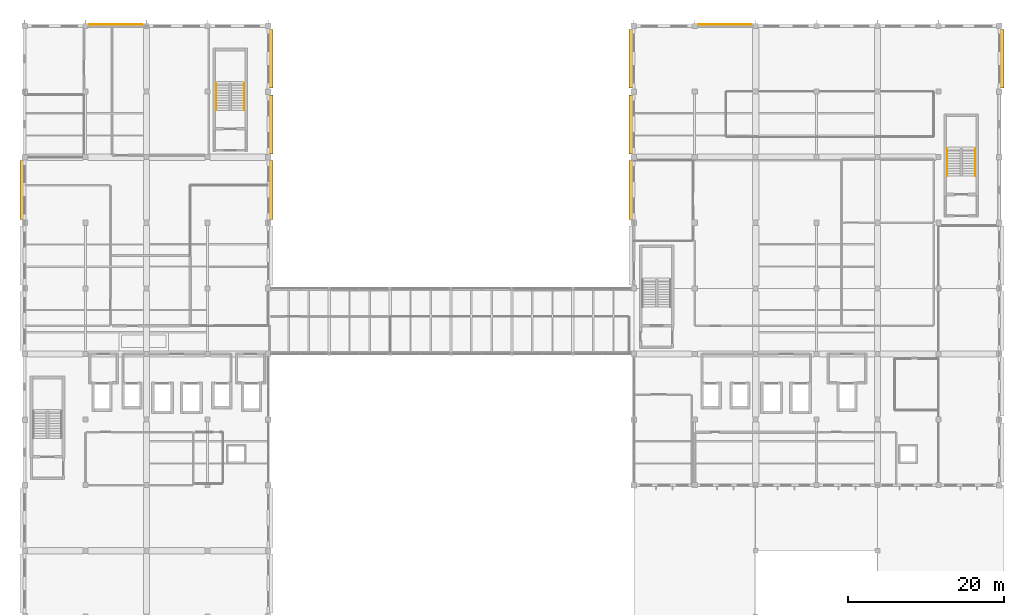
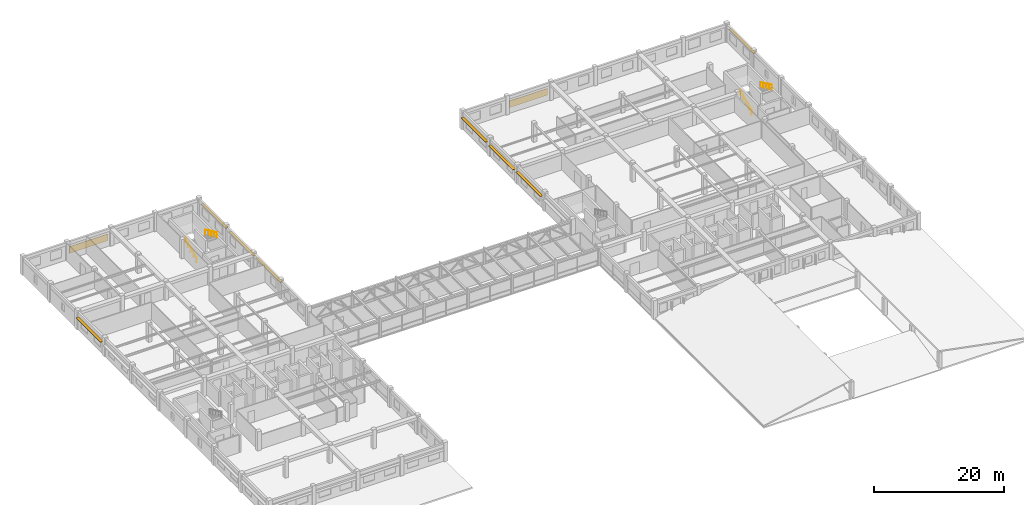
# One storey, part 49 of 49: 10 shading devices, 4 railings.
"""IFC4 building model written with IfcOpenShell, lengths in metres."""

from ifc_helpers import new_model, si_unit, direction, frame, origin, origin_2d, place, context, subcontext, project, spatial, rectangle, circle, extrude, material, layer, layer_set, type_object, element, save


model = new_model("IFC4")

# Units and contexts
model_context = context("Model", 3, precision=1e-05, world=origin(), true_north=direction((0.0, 1.0)))
body_context = subcontext(model_context, "Body", "Model", "MODEL_VIEW")
ifc_project = project(units=[si_unit("LENGTHUNIT", "METRE"), si_unit("AREAUNIT", "SQUARE_METRE"), si_unit("VOLUMEUNIT", "CUBIC_METRE"), si_unit("PLANEANGLEUNIT", "RADIAN"), si_unit("MASSUNIT", "GRAM", prefix="KILO"), si_unit("THERMODYNAMICTEMPERATUREUNIT", "KELVIN"), si_unit("POWERUNIT", "WATT")], contexts=[model_context])

# Site, building, storey
site_placement = place(None, origin())
site = spatial("IfcSite", under=ifc_project, at=site_placement, CompositionType="ELEMENT")
building_placement = place(site_placement, origin())
building = spatial("IfcBuilding", under=site, at=building_placement, Name="Srebrne Nadtorze General Hospital", CompositionType="ELEMENT")
storey_placement = place(building_placement, frame((0.0, 0.0, 26.10009765625)))
storey = spatial("IfcBuildingStorey", under=building, at=storey_placement, Name="L06", CompositionType="ELEMENT", Elevation=26.10009765625)

# Shading devices
ifc_material_1 = material(Name="Anodised Aluminium", Category="aluminium")
ifc_layer = layer(ifc_material_1, 0.080078125)
ifc_layer_set = layer_set([ifc_layer], Name="Anodised Aluminium")
shading_device_type = type_object("IfcShadingDeviceType", Name="Hisashi horizontal aluminium sunshade", PredefinedType="JALOUSIE", material=ifc_layer_set)
for number, where, z_axis, x_axis, name in (
    (1, (35.10009765625, 92.56005859375, 0.887451171875), (0.0, 0.0, 1.0), (1.0, 0.0, 0.0), "Interstitial acoustic louvre LV-369"),
    (2, (113.10009765625, 92.56005859375, 0.887451171875), (0.0, 0.0, 1.0), (1.0, 0.0, 0.0), "Interstitial acoustic louvre LV-370"),
):
    element("IfcShadingDevice", number, at=place(storey_placement, frame(where, z_axis=z_axis, x_axis=x_axis)), inside=storey, type_object=shading_device_type, Name=name, PredefinedType="JALOUSIE", context=body_context, shape_type="SweptSolid", body=[
        extrude(rectangle(XDim=6.85009765625, YDim=0.080078125, at=origin_2d()), origin(), (0.0, 0.0, 1.0), 1.25),
    ])
for number, where, z_axis, x_axis, name in (
    (3, (23.050048828125, 71.39990234375, 2.369873046875), (0.0, 0.0, 1.0), (1.0, 0.0, 0.0), "Hisashi horizontal sunshade eave LV-375"),
    (4, (54.949951171875, 71.39990234375, 2.369873046875), (0.0, 0.0, 1.0), (1.0, 0.0, 0.0), "Hisashi horizontal sunshade eave LV-379"),
    (5, (54.949951171875, 79.800048828125, 2.269775390625), (0.0, 0.0, 1.0), (1.0, 0.0, 0.0), "Hisashi horizontal sunshade eave LV-380"),
    (6, (54.949951171875, 88.199951171875, 2.369873046875), (0.0, 0.0, 1.0), (1.0, 0.0, 0.0), "Hisashi horizontal sunshade eave LV-381"),
    (7, (101.050048828125, 71.39990234375, 2.369873046875), (0.0, 0.0, 1.0), (1.0, 0.0, 0.0), "Hisashi horizontal sunshade eave LV-383"),
    (8, (101.050048828125, 79.800048828125, 2.269775390625), (0.0, 0.0, 1.0), (1.0, 0.0, 0.0), "Hisashi horizontal sunshade eave LV-384"),
    (9, (101.050048828125, 88.199951171875, 2.369873046875), (0.0, 0.0, 1.0), (1.0, 0.0, 0.0), "Hisashi horizontal sunshade eave LV-385"),
    (10, (148.550048828125, 88.199951171875, 2.369873046875), (0.0, 0.0, 1.0), (1.0, 0.0, 0.0), "Hisashi horizontal sunshade eave LV-390"),
):
    element("IfcShadingDevice", number, at=place(storey_placement, frame(where, z_axis=z_axis, x_axis=x_axis)), inside=storey, type_object=shading_device_type, Name=name, PredefinedType="JALOUSIE", context=body_context, shape_type="SweptSolid", body=[
        extrude(rectangle(XDim=0.47998046875, YDim=7.5400390625, at=origin_2d()), origin(), (0.0, 0.0, 1.0), 0.080078125),
    ])

# Railings
ifc_material_2 = material(Name="Stainless Steel 316", Category="steel")
railing_type = type_object("IfcRailingType", Name="Tubular stainless handrail 920", PredefinedType="HANDRAIL", material=ifc_material_2)
railing_1_placement = place(storey_placement, frame((47.929931640625, 81.60009765625, 0.14990234375)))
element("IfcRailing", 11, at=railing_1_placement, inside=storey, type_object=railing_type, Name="Stair flight handrail ST-02-L06 F1", PredefinedType="HANDRAIL", context=body_context, shape_type="SweptSolid", body=[
    extrude(circle(Radius=0.02392578125, at=origin_2d()), frame((0.0, 0.0, 0.89599609375), z_axis=(0.0, 0.905469494748, 0.424411350084), x_axis=(-1.0, 0.0, 0.0)), (0.0, 0.0, 1.0), 3.887451171875),
    extrude(circle(Radius=0.02099609375, at=origin_2d()), origin(), (0.0, 0.0, 1.0), 0.871826171875),
    extrude(circle(Radius=0.02099609375, at=origin_2d()), frame((0.0, 0.8798828125, 0.41259765625)), (0.0, 0.0, 1.0), 0.871826171875),
    extrude(circle(Radius=0.02099609375, at=origin_2d()), frame((0.0, 1.760009765625, 0.824951171875)), (0.0, 0.0, 1.0), 0.871826171875),
    extrude(circle(Radius=0.02099609375, at=origin_2d()), frame((0.0, 2.64013671875, 1.2373046875)), (0.0, 0.0, 1.0), 0.871826171875),
    extrude(circle(Radius=0.02099609375, at=origin_2d()), frame((0.0, 3.52001953125, 1.64990234375)), (0.0, 0.0, 1.0), 0.871826171875),
])
railing_2_placement = place(storey_placement, frame((51.52001953125, 85.1201171875, 1.949951171875)))
element("IfcRailing", 12, at=railing_2_placement, inside=storey, type_object=railing_type, Name="Stair flight handrail ST-02-L06 F2", PredefinedType="HANDRAIL", context=body_context, shape_type="SweptSolid", body=[
    extrude(circle(Radius=0.02392578125, at=origin_2d()), frame((0.0, 0.0, 0.89599609375), z_axis=(0.0, -0.905469494748, 0.424411350084), x_axis=(1.0, 0.0, 0.0)), (0.0, 0.0, 1.0), 3.887451171875),
    extrude(circle(Radius=0.02099609375, at=origin_2d()), origin(), (0.0, 0.0, 1.0), 0.871826171875),
    extrude(circle(Radius=0.02099609375, at=origin_2d()), frame((0.0, -0.8798828125, 0.41259765625)), (0.0, 0.0, 1.0), 0.871826171875),
    extrude(circle(Radius=0.02099609375, at=origin_2d()), frame((0.0, -1.760009765625, 0.824951171875)), (0.0, 0.0, 1.0), 0.871826171875),
    extrude(circle(Radius=0.02099609375, at=origin_2d()), frame((0.0, -2.64013671875, 1.2373046875)), (0.0, 0.0, 1.0), 0.871826171875),
    extrude(circle(Radius=0.02099609375, at=origin_2d()), frame((0.0, -3.52001953125, 1.64990234375)), (0.0, 0.0, 1.0), 0.871826171875),
])
railing_3_placement = place(storey_placement, frame((141.530029296875, 73.199951171875, 0.14990234375)))
element("IfcRailing", 13, at=railing_3_placement, inside=storey, type_object=railing_type, Name="Stair flight handrail ST-04-L06 F1", PredefinedType="HANDRAIL", context=body_context, shape_type="SweptSolid", body=[
    extrude(circle(Radius=0.02392578125, at=origin_2d()), frame((0.0, 0.0, 0.89599609375), z_axis=(0.0, 0.905469494748, 0.424411350084), x_axis=(-1.0, 0.0, 0.0)), (0.0, 0.0, 1.0), 3.887451171875),
    extrude(circle(Radius=0.02099609375, at=origin_2d()), origin(), (0.0, 0.0, 1.0), 0.871826171875),
    extrude(circle(Radius=0.02099609375, at=origin_2d()), frame((0.0, 0.8798828125, 0.41259765625)), (0.0, 0.0, 1.0), 0.871826171875),
    extrude(circle(Radius=0.02099609375, at=origin_2d()), frame((0.0, 1.760009765625, 0.824951171875)), (0.0, 0.0, 1.0), 0.871826171875),
    extrude(circle(Radius=0.02099609375, at=origin_2d()), frame((0.0, 2.64013671875, 1.2373046875)), (0.0, 0.0, 1.0), 0.871826171875),
    extrude(circle(Radius=0.02099609375, at=origin_2d()), frame((0.0, 3.52001953125, 1.64990234375)), (0.0, 0.0, 1.0), 0.871826171875),
])
railing_4_placement = place(storey_placement, frame((145.1201171875, 76.719970703125, 1.949951171875)))
element("IfcRailing", 14, at=railing_4_placement, inside=storey, type_object=railing_type, Name="Stair flight handrail ST-04-L06 F2", PredefinedType="HANDRAIL", context=body_context, shape_type="SweptSolid", body=[
    extrude(circle(Radius=0.02392578125, at=origin_2d()), frame((0.0, 0.0, 0.89599609375), z_axis=(0.0, -0.905469494748, 0.424411350084), x_axis=(1.0, 0.0, 0.0)), (0.0, 0.0, 1.0), 3.887451171875),
    extrude(circle(Radius=0.02099609375, at=origin_2d()), origin(), (0.0, 0.0, 1.0), 0.871826171875),
    extrude(circle(Radius=0.02099609375, at=origin_2d()), frame((0.0, -0.8798828125, 0.41259765625)), (0.0, 0.0, 1.0), 0.871826171875),
    extrude(circle(Radius=0.02099609375, at=origin_2d()), frame((0.0, -1.760009765625, 0.824951171875)), (0.0, 0.0, 1.0), 0.871826171875),
    extrude(circle(Radius=0.02099609375, at=origin_2d()), frame((0.0, -2.64013671875, 1.2373046875)), (0.0, 0.0, 1.0), 0.871826171875),
    extrude(circle(Radius=0.02099609375, at=origin_2d()), frame((0.0, -3.52001953125, 1.64990234375)), (0.0, 0.0, 1.0), 0.871826171875),
])

save(model, "model.ifc")
